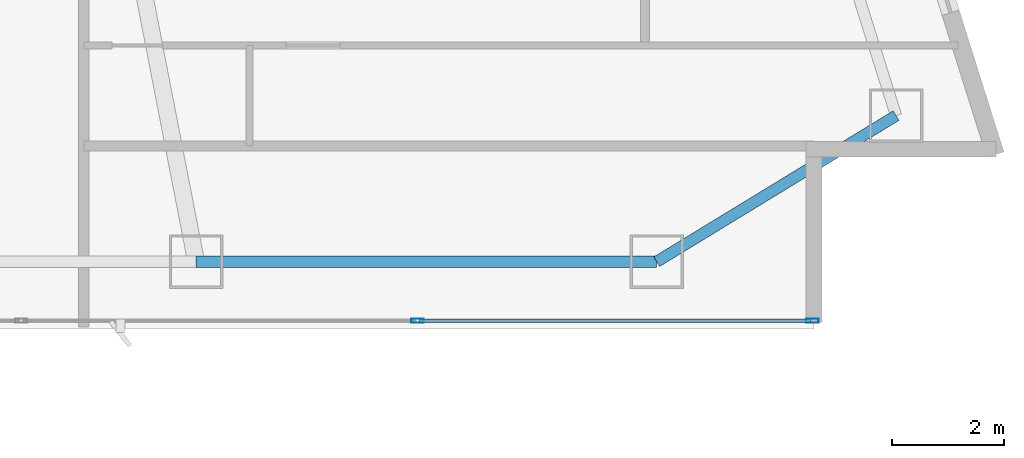
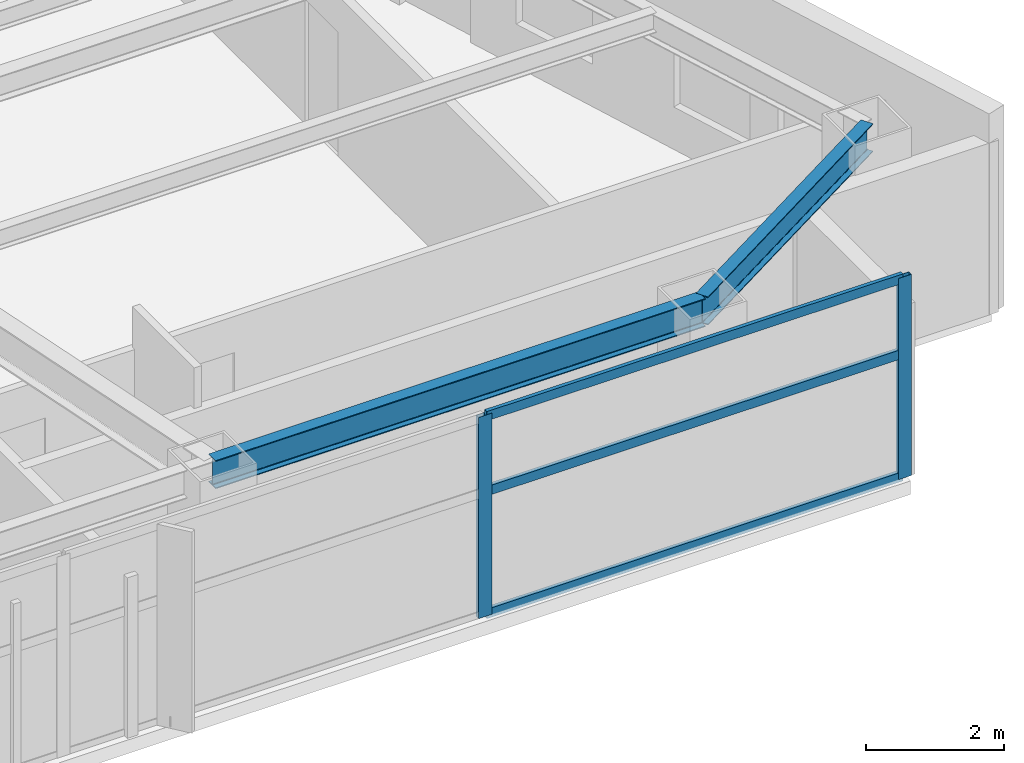
# One storey, part 14 of 29: 5 members, 2 beams, 1 element without a shape of its own.
"""IFC4 building model written with IfcOpenShell, lengths in metres."""

from ifc_helpers import new_model, si_unit, direction, frame, origin, origin_2d, place, context, subcontext, project, spatial, hollow_rectangle, i_section, extrude, material, layer, layer_set, material_profile, profile_set, type_object, element, aggregate, save


model = new_model("IFC4")

# Units and contexts
model_context = context("Model", 3, precision=1e-05, world=origin(), true_north=direction((0.0, 1.0)))
body_context = subcontext(model_context, "Body", "Model", "MODEL_VIEW")
ifc_project = project(units=[si_unit("LENGTHUNIT", "METRE"), si_unit("AREAUNIT", "SQUARE_METRE"), si_unit("VOLUMEUNIT", "CUBIC_METRE"), si_unit("PLANEANGLEUNIT", "RADIAN"), si_unit("MASSUNIT", "GRAM", prefix="KILO")], contexts=[model_context])

# Site, building, storey
site_placement = place(None, origin())
site = spatial("IfcSite", under=ifc_project, at=site_placement, CompositionType="ELEMENT")
building_placement = place(site_placement, origin())
building = spatial("IfcBuilding", under=site, at=building_placement, Name="Calvorn Quay Hotel", CompositionType="ELEMENT")
storey_placement = place(building_placement, frame((0.0, 0.0, 34.60009765625)))
storey = spatial("IfcBuildingStorey", under=building, at=storey_placement, Name="L07", CompositionType="ELEMENT", Elevation=34.60009765625)

# Beams
ifc_material_1 = material(Name="Steel Q355B", Category="steel")
ifc_material_profile_1 = material_profile(ifc_material_1, i_section(OverallWidth=0.199951171875, OverallDepth=0.5, WebThickness=0.010009765625, FlangeThickness=0.01611328125, FilletRadius=0.01611328125, at=origin_2d()), Name="HN500x200x10x16")
ifc_profile_set_1 = profile_set([ifc_material_profile_1], Name="Steel Q355B")
beam_type = type_object("IfcBeamType", Name="BM-SPANDREL-Z1", PredefinedType="SPANDREL", material=ifc_profile_set_1)
beam_1_placement = place(storey_placement, frame((49.39990234375, 3.60009765625, 3.289794921875), z_axis=(1.0, 0.0, 0.0), x_axis=(0.0, 1.0, 0.0)))
element("IfcBeam", 1, at=beam_1_placement, inside=storey, type_object=beam_type, Name="Beam BSP-L07-S6", PredefinedType="SPANDREL", context=body_context, shape_type="SweptSolid", body=[
    extrude(i_section(OverallWidth=0.199951171875, OverallDepth=0.5, WebThickness=0.010009765625, FlangeThickness=0.01611328125, FilletRadius=0.01611328125, at=origin_2d()), origin(), (0.0, 0.0, 1.0), 8.2001953125),
])
beam_2_placement = place(storey_placement, frame((57.60009765625, 3.60009765625, 3.289794921875), z_axis=(0.853645546466, 0.520854376, 0.0), x_axis=(-0.520854376, 0.853645546466, 0.0)))
element("IfcBeam", 2, at=beam_2_placement, inside=storey, type_object=beam_type, Name="Beam BSP-L07-S7", PredefinedType="SPANDREL", context=body_context, shape_type="SweptSolid", body=[
    extrude(i_section(OverallWidth=0.199951171875, OverallDepth=0.5, WebThickness=0.010009765625, FlangeThickness=0.01611328125, FilletRadius=0.01611328125, at=origin_2d()), origin(), (0.0, 0.0, 1.0), 4.991455078125),
])

# Curtain wall, members
ifc_material_2 = material(Name="Pale Anodised Aluminium and Low-E Glass", Category="aluminium")
ifc_layer = layer(ifc_material_2, 0.219970703125)
ifc_layer_set = layer_set([ifc_layer], Name="CW-SYS-Z1")
curtain_wall_type = type_object("IfcCurtainWallType", Name="CW-SYS-Z1", PredefinedType="NOTDEFINED", material=ifc_layer_set)
curtain_wall_placement = place(storey_placement, origin())
curtain_wall = element("IfcCurtainWall", 3, at=curtain_wall_placement, inside=storey, type_object=curtain_wall_type, Name="Tower South Waterfront Curtain Wall (L07)", PredefinedType="NOTDEFINED")
ifc_material_3 = material(Name="Pale Anodised Aluminium 6063-T6", Category="aluminium")
ifc_material_profile_2 = material_profile(ifc_material_3, hollow_rectangle(XDim=0.074951171875, YDim=0.219970703125, WallThickness=0.00439453125, at=origin_2d()), Name="ALU-M220x75x4.5")
ifc_profile_set_2 = profile_set([ifc_material_profile_2], Name="Pale Anodised Aluminium 6063-T6")
member_type_1 = type_object("IfcMemberType", Name="CW-SYS-Z1-MUL", PredefinedType="MULLION", material=ifc_profile_set_2)
member_1_placement = place(storey_placement, frame((53.3427734375, 2.550048828125, 0.0), z_axis=(0.0, 0.0, 1.0), x_axis=(0.0, 1.0, 0.0)))
member_1 = element("IfcMember", 4, at=member_1_placement, type_object=member_type_1, Name="CW-L07-S mullion 7", PredefinedType="MULLION", context=body_context, shape_type="SweptSolid", body=[
    extrude(hollow_rectangle(XDim=0.074951171875, YDim=0.219970703125, WallThickness=0.00439453125, at=origin_2d()), origin(), (0.0, 0.0, 1.0), 3.559814453125),
])
member_2_placement = place(storey_placement, frame((60.3701171875, 2.550048828125, 0.0), z_axis=(0.0, 0.0, 1.0), x_axis=(0.0, 1.0, 0.0)))
member_2 = element("IfcMember", 5, at=member_2_placement, type_object=member_type_1, Name="CW-L07-S mullion 8", PredefinedType="MULLION", context=body_context, shape_type="SweptSolid", body=[
    extrude(hollow_rectangle(XDim=0.074951171875, YDim=0.219970703125, WallThickness=0.00439453125, at=origin_2d()), origin(), (0.0, 0.0, 1.0), 3.559814453125),
])
ifc_material_4 = material(Name="Pale Anodised Aluminium 6063-T6", Category="aluminium")
ifc_material_profile_3 = material_profile(ifc_material_4, hollow_rectangle(XDim=0.06494140625, YDim=0.1650390625, WallThickness=0.00341796875, at=origin_2d()), Name="ALU-T165x65x3.5")
ifc_profile_set_3 = profile_set([ifc_material_profile_3], Name="Pale Anodised Aluminium 6063-T6")
member_type_2 = type_object("IfcMemberType", Name="CW-SYS-Z1-TRN", PredefinedType="USERDEFINED", material=ifc_profile_set_3)
member_3_placement = place(storey_placement, frame((53.372802734375, 2.550048828125, 0.02978515625), z_axis=(1.0, 0.0, 0.0), x_axis=(0.0, 1.0, 0.0)))
member_3 = element("IfcMember", 6, at=member_3_placement, type_object=member_type_2, Name="CW-L07-S transom 7.1", ObjectType="TRANSOM", PredefinedType="USERDEFINED", context=body_context, shape_type="SweptSolid", body=[
    extrude(hollow_rectangle(XDim=0.06494140625, YDim=0.1650390625, WallThickness=0.00341796875, at=origin_2d()), origin(), (0.0, 0.0, 1.0), 6.96728515625),
])
member_4_placement = place(storey_placement, frame((53.372802734375, 2.550048828125, 2.199951171875), z_axis=(1.0, 0.0, 0.0), x_axis=(0.0, 1.0, 0.0)))
member_4 = element("IfcMember", 7, at=member_4_placement, type_object=member_type_2, Name="CW-L07-S transom 7.2", ObjectType="TRANSOM", PredefinedType="USERDEFINED", context=body_context, shape_type="SweptSolid", body=[
    extrude(hollow_rectangle(XDim=0.06494140625, YDim=0.1650390625, WallThickness=0.00341796875, at=origin_2d()), origin(), (0.0, 0.0, 1.0), 6.96728515625),
])
member_5_placement = place(storey_placement, frame((53.372802734375, 2.550048828125, 3.52978515625), z_axis=(1.0, 0.0, 0.0), x_axis=(0.0, 1.0, 0.0)))
member_5 = element("IfcMember", 8, at=member_5_placement, type_object=member_type_2, Name="CW-L07-S transom 7.3", ObjectType="TRANSOM", PredefinedType="USERDEFINED", context=body_context, shape_type="SweptSolid", body=[
    extrude(hollow_rectangle(XDim=0.06494140625, YDim=0.1650390625, WallThickness=0.00341796875, at=origin_2d()), origin(), (0.0, 0.0, 1.0), 6.96728515625),
])
aggregate(curtain_wall, [member_1, member_2, member_3, member_4, member_5])

save(model, "model.ifc")
